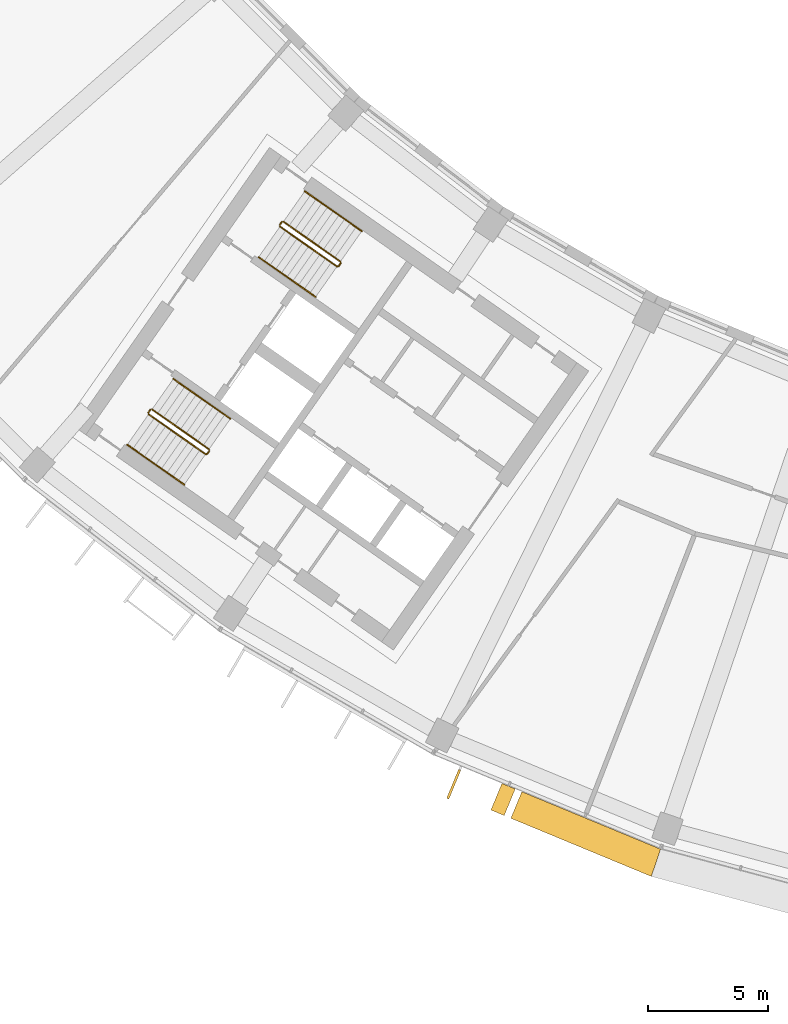
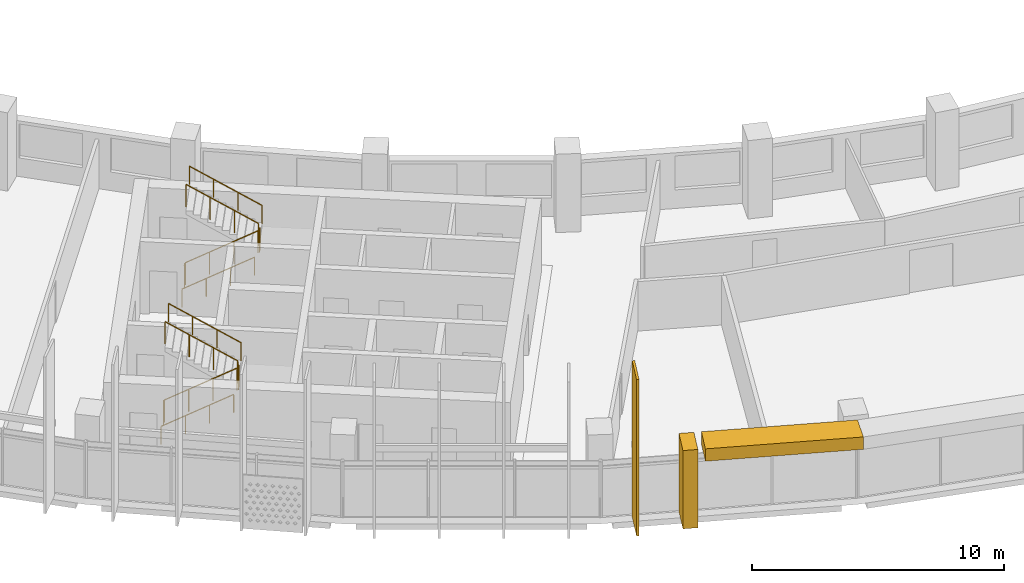
# One storey, part 24 of 28: 10 railings, 3 shading devices.
"""IFC4 building model written with IfcOpenShell, lengths in metres."""

from ifc_helpers import new_model, si_unit, direction, frame, origin, origin_2d, place, context, subcontext, project, spatial, polyline, rectangle, circle, outline, extrude, material, material_profile, profile_set, type_object, element, save


model = new_model("IFC4")

# Units and contexts
model_context = context("Model", 3, precision=1e-05, world=origin(), true_north=direction((0.0, 1.0)))
body_context = subcontext(model_context, "Body", "Model", "MODEL_VIEW")
ifc_project = project(units=[si_unit("LENGTHUNIT", "METRE"), si_unit("AREAUNIT", "SQUARE_METRE"), si_unit("VOLUMEUNIT", "CUBIC_METRE"), si_unit("PLANEANGLEUNIT", "RADIAN"), si_unit("MASSUNIT", "GRAM", prefix="KILO")], contexts=[model_context])

# Site, building, storey
site_placement = place(None, origin())
site = spatial("IfcSite", under=ifc_project, at=site_placement, CompositionType="ELEMENT")
building_placement = place(site_placement, origin())
building = spatial("IfcBuilding", under=site, at=building_placement, Name="Qamariyya Broadcast Tower", CompositionType="ELEMENT")
storey_placement = place(building_placement, frame((0.0, 0.0, 234.10009765625)))
storey = spatial("IfcBuildingStorey", under=building, at=storey_placement, Name="L56", CompositionType="ELEMENT", Elevation=234.10009765625)

# Shading devices
ifc_material_1 = material(Name="Steel S355 powder coated deep red", Category="steel")
shading_device_type_1 = type_object("IfcShadingDeviceType", Name="Deep red frame, powder coated steel box section", PredefinedType="USERDEFINED", material=ifc_material_1)
shading_device_1_placement = place(storey_placement, origin())
element("IfcShadingDevice", 1, at=shading_device_1_placement, inside=storey, type_object=shading_device_type_1, Name="e-frm-B4-F1-posta-L56", ObjectType="FRAME", PredefinedType="USERDEFINED", context=body_context, shape_type="SweptSolid", body=[
    extrude(outline(polyline([(-31.89501953125, -71.736572265625), (-32.35400390625, -72.84521484375), (-31.7998046875, -73.074951171875), (-31.340576171875, -71.966064453125), (-31.89501953125, -71.736572265625)])), origin(), (0.0, 0.0, 1.0), 3.7998046875),
])
shading_device_2_placement = place(storey_placement, frame((0.0, 0.0, 3.199951171875)))
element("IfcShadingDevice", 2, at=shading_device_2_placement, inside=storey, type_object=shading_device_type_1, Name="e-frm-B4-F1-top0", ObjectType="FRAME", PredefinedType="USERDEFINED", context=body_context, shape_type="SweptSolid", body=[
    extrude(outline(polyline([(-31.0634765625, -72.0810546875), (-31.522705078125, -73.189697265625), (-25.667724609375, -75.61474609375), (-25.28125, -74.47607421875), (-31.0634765625, -72.0810546875)])), origin(), (0.0, 0.0, 1.0), 0.599853515625),
])

# Railings
ifc_material_2 = material(Name="Painted steel", Category="steel")
railing_type_1 = type_object("IfcRailingType", Name="Stair guard", PredefinedType="GUARDRAIL", material=ifc_material_2)
railing_1_placement = place(storey_placement, frame((-41.146728515625, -48.52490234375, 0.172607421875)))
element("IfcRailing", 3, at=railing_1_placement, inside=storey, type_object=railing_type_1, Name="L56 ST-W2 stair guard 1", PredefinedType="GUARDRAIL", context=body_context, shape_type="SweptSolid", body=[
    extrude(circle(Radius=0.02392578125, at=origin_2d()), frame((0.0, 0.0, 1.076171875), z_axis=(0.703770094002, -0.492783725636, 0.511734163933), x_axis=(0.573575343427, 0.819152809562, 0.0)), (0.0, 0.0, 1.0), 3.37548828125),
    extrude(circle(Radius=0.02392578125, at=origin_2d()), frame((2.37548828125, -1.663330078125, 2.80322265625), z_axis=(0.985059694769, 0.172213233351, 0.0), x_axis=(-0.172213233351, 0.985059694769, 0.0)), (0.0, 0.0, 1.0), 0.07080078125),
    extrude(circle(Radius=0.02392578125, at=origin_2d()), frame((2.4453125, -1.651123046875, 2.80322265625), z_axis=(0.572588637393, 0.819842821722, 0.0), x_axis=(-0.819842821722, 0.572588637393, 0.0)), (0.0, 0.0, 1.0), 0.150146484375),
    extrude(circle(Radius=0.02099609375, at=origin_2d()), origin(), (0.0, 0.0, 1.0), 1.052001953125),
    extrude(circle(Radius=0.02099609375, at=origin_2d()), frame((0.791748046875, -0.554443359375, 0.57568359375)), (0.0, 0.0, 1.0), 1.052001953125),
    extrude(circle(Radius=0.02099609375, at=origin_2d()), frame((1.583740234375, -1.10888671875, 1.151611328125)), (0.0, 0.0, 1.0), 1.052001953125),
    extrude(circle(Radius=0.02099609375, at=origin_2d()), frame((2.37548828125, -1.663330078125, 1.727294921875)), (0.0, 0.0, 1.0), 1.052001953125),
    extrude(circle(Radius=0.02099609375, at=origin_2d()), frame((2.4453125, -1.651123046875, 1.727294921875)), (0.0, 0.0, 1.0), 1.052001953125),
    extrude(circle(Radius=0.02099609375, at=origin_2d()), frame((2.53125, -1.528076171875, 1.727294921875)), (0.0, 0.0, 1.0), 1.052001953125),
])
railing_2_placement = place(storey_placement, frame((-38.627685546875, -49.9833984375, 2.072509765625)))
element("IfcRailing", 4, at=railing_2_placement, inside=storey, type_object=railing_type_1, Name="L56 ST-W2 stair guard 2", PredefinedType="GUARDRAIL", context=body_context, shape_type="SweptSolid", body=[
    extrude(circle(Radius=0.02392578125, at=origin_2d()), frame((0.0, 0.0, 1.076171875), z_axis=(-0.703770094002, 0.492783725636, 0.511734163933), x_axis=(-0.573575343427, -0.819152809562, 0.0)), (0.0, 0.0, 1.0), 3.37548828125),
    extrude(circle(Radius=0.02099609375, at=origin_2d()), origin(), (0.0, 0.0, 1.0), 1.052001953125),
    extrude(circle(Radius=0.02099609375, at=origin_2d()), frame((-0.791748046875, 0.554443359375, 0.57568359375)), (0.0, 0.0, 1.0), 1.052001953125),
    extrude(circle(Radius=0.02099609375, at=origin_2d()), frame((-1.583740234375, 1.10888671875, 1.151611328125)), (0.0, 0.0, 1.0), 1.052001953125),
    extrude(circle(Radius=0.02099609375, at=origin_2d()), frame((-2.37548828125, 1.663330078125, 1.727294921875)), (0.0, 0.0, 1.0), 1.052001953125),
])
railing_3_placement = place(storey_placement, frame((-41.158935546875, -48.455322265625, 0.0)))
element("IfcRailing", 5, at=railing_3_placement, inside=storey, type_object=railing_type_1, Name="L56 ST-W2 stair guard 3", PredefinedType="GUARDRAIL", context=body_context, shape_type="SweptSolid", body=[
    extrude(circle(Radius=0.02392578125, at=origin_2d()), frame((0.0, 0.0, 1.076171875), z_axis=(0.572588637393, 0.819842821722, 0.0), x_axis=(-0.819842821722, 0.572588637393, 0.0)), (0.0, 0.0, 1.0), 0.150146484375),
    extrude(circle(Radius=0.02099609375, at=origin_2d()), origin(), (0.0, 0.0, 1.0), 1.052001953125),
    extrude(circle(Radius=0.02099609375, at=origin_2d()), frame((0.0859375, 0.123046875, 0.0)), (0.0, 0.0, 1.0), 1.052001953125),
])
railing_4_placement = place(storey_placement, frame((-46.624267578125, -56.34765625, 0.172607421875)))
element("IfcRailing", 6, at=railing_4_placement, inside=storey, type_object=railing_type_1, Name="L56 ST-W1 stair guard 1", PredefinedType="GUARDRAIL", context=body_context, shape_type="SweptSolid", body=[
    extrude(circle(Radius=0.02392578125, at=origin_2d()), frame((0.0, 0.0, 1.076171875), z_axis=(0.703745009021, -0.492838488332, 0.511715923826), x_axis=(0.573631830683, 0.819113253969, 0.0)), (0.0, 0.0, 1.0), 3.37548828125),
    extrude(circle(Radius=0.02392578125, at=origin_2d()), frame((2.37548828125, -1.66357421875, 2.80322265625), z_axis=(0.984363469884, 0.176149252506, 0.0), x_axis=(-0.176149252506, 0.984363469884, 0.0)), (0.0, 0.0, 1.0), 0.07080078125),
    extrude(circle(Radius=0.02392578125, at=origin_2d()), frame((2.445068359375, -1.651123046875, 2.80322265625), z_axis=(0.574444878118, 0.818543268254, 0.0), x_axis=(-0.818543268254, 0.574444878118, 0.0)), (0.0, 0.0, 1.0), 0.150146484375),
    extrude(circle(Radius=0.02099609375, at=origin_2d()), origin(), (0.0, 0.0, 1.0), 1.052001953125),
    extrude(circle(Radius=0.02099609375, at=origin_2d()), frame((0.791748046875, -0.554443359375, 0.57568359375)), (0.0, 0.0, 1.0), 1.052001953125),
    extrude(circle(Radius=0.02099609375, at=origin_2d()), frame((1.583740234375, -1.109130859375, 1.151611328125)), (0.0, 0.0, 1.0), 1.052001953125),
    extrude(circle(Radius=0.02099609375, at=origin_2d()), frame((2.37548828125, -1.66357421875, 1.727294921875)), (0.0, 0.0, 1.0), 1.052001953125),
    extrude(circle(Radius=0.02099609375, at=origin_2d()), frame((2.445068359375, -1.651123046875, 1.727294921875)), (0.0, 0.0, 1.0), 1.052001953125),
    extrude(circle(Radius=0.02099609375, at=origin_2d()), frame((2.53125, -1.5283203125, 1.727294921875)), (0.0, 0.0, 1.0), 1.052001953125),
])
railing_5_placement = place(storey_placement, frame((-44.10546875, -57.806396484375, 2.072509765625)))
element("IfcRailing", 7, at=railing_5_placement, inside=storey, type_object=railing_type_1, Name="L56 ST-W1 stair guard 2", PredefinedType="GUARDRAIL", context=body_context, shape_type="SweptSolid", body=[
    extrude(circle(Radius=0.02392578125, at=origin_2d()), frame((0.0, 0.0, 1.076171875), z_axis=(-0.703770094002, 0.492783725636, 0.511734163933), x_axis=(-0.573575343427, -0.819152809562, 0.0)), (0.0, 0.0, 1.0), 3.37548828125),
    extrude(circle(Radius=0.02099609375, at=origin_2d()), origin(), (0.0, 0.0, 1.0), 1.052001953125),
    extrude(circle(Radius=0.02099609375, at=origin_2d()), frame((-0.791748046875, 0.554443359375, 0.57568359375)), (0.0, 0.0, 1.0), 1.052001953125),
    extrude(circle(Radius=0.02099609375, at=origin_2d()), frame((-1.583740234375, 1.10888671875, 1.151611328125)), (0.0, 0.0, 1.0), 1.052001953125),
    extrude(circle(Radius=0.02099609375, at=origin_2d()), frame((-2.37548828125, 1.663330078125, 1.727294921875)), (0.0, 0.0, 1.0), 1.052001953125),
])
railing_6_placement = place(storey_placement, frame((-46.63671875, -56.278076171875, 0.0)))
element("IfcRailing", 8, at=railing_6_placement, inside=storey, type_object=railing_type_1, Name="L56 ST-W1 stair guard 3", PredefinedType="GUARDRAIL", context=body_context, shape_type="SweptSolid", body=[
    extrude(circle(Radius=0.02392578125, at=origin_2d()), frame((0.0, 0.0, 1.076171875), z_axis=(0.574444878118, 0.818543268254, 0.0), x_axis=(-0.818543268254, 0.574444878118, 0.0)), (0.0, 0.0, 1.0), 0.150146484375),
    extrude(circle(Radius=0.02099609375, at=origin_2d()), origin(), (0.0, 0.0, 1.0), 1.052001953125),
    extrude(circle(Radius=0.02099609375, at=origin_2d()), frame((0.086181640625, 0.122802734375, 0.0)), (0.0, 0.0, 1.0), 1.052001953125),
])
ifc_material_3 = material(Name="Stainless steel", Category="steel")
railing_type_2 = type_object("IfcRailingType", Name="Stair handrail", PredefinedType="HANDRAIL", material=ifc_material_3)
railing_7_placement = place(storey_placement, frame((-42.03564453125, -49.79443359375, 0.172607421875)))
element("IfcRailing", 9, at=railing_7_placement, inside=storey, type_object=railing_type_2, Name="L56 ST-W2 stair handrail 1", PredefinedType="HANDRAIL", context=body_context, shape_type="SweptSolid", body=[
    extrude(circle(Radius=0.02392578125, at=origin_2d()), frame((0.0, 0.0, 0.8759765625), z_axis=(0.703745009021, -0.492838488332, 0.511715923826), x_axis=(0.573631830683, 0.819113253969, 0.0)), (0.0, 0.0, 1.0), 3.37548828125),
    extrude(circle(Radius=0.02099609375, at=origin_2d()), origin(), (0.0, 0.0, 1.0), 0.851806640625),
    extrude(circle(Radius=0.02099609375, at=origin_2d()), frame((0.791748046875, -0.554443359375, 0.57568359375)), (0.0, 0.0, 1.0), 0.851806640625),
    extrude(circle(Radius=0.02099609375, at=origin_2d()), frame((1.583740234375, -1.109130859375, 1.151611328125)), (0.0, 0.0, 1.0), 0.851806640625),
    extrude(circle(Radius=0.02099609375, at=origin_2d()), frame((2.37548828125, -1.66357421875, 1.727294921875)), (0.0, 0.0, 1.0), 0.851806640625),
])
railing_8_placement = place(storey_placement, frame((-37.73876953125, -48.7138671875, 2.072509765625)))
element("IfcRailing", 10, at=railing_8_placement, inside=storey, type_object=railing_type_2, Name="L56 ST-W2 stair handrail 2", PredefinedType="HANDRAIL", context=body_context, shape_type="SweptSolid", body=[
    extrude(circle(Radius=0.02392578125, at=origin_2d()), frame((0.0, 0.0, 0.8759765625), z_axis=(-0.703745009021, 0.492838488332, 0.511715923826), x_axis=(-0.573631830683, -0.819113253969, 0.0)), (0.0, 0.0, 1.0), 3.37548828125),
    extrude(circle(Radius=0.02099609375, at=origin_2d()), origin(), (0.0, 0.0, 1.0), 0.851806640625),
    extrude(circle(Radius=0.02099609375, at=origin_2d()), frame((-0.791748046875, 0.554443359375, 0.57568359375)), (0.0, 0.0, 1.0), 0.851806640625),
    extrude(circle(Radius=0.02099609375, at=origin_2d()), frame((-1.583740234375, 1.109130859375, 1.151611328125)), (0.0, 0.0, 1.0), 0.851806640625),
    extrude(circle(Radius=0.02099609375, at=origin_2d()), frame((-2.37548828125, 1.66357421875, 1.727294921875)), (0.0, 0.0, 1.0), 0.851806640625),
])
railing_9_placement = place(storey_placement, frame((-47.513427734375, -57.617431640625, 0.172607421875)))
element("IfcRailing", 11, at=railing_9_placement, inside=storey, type_object=railing_type_2, Name="L56 ST-W1 stair handrail 1", PredefinedType="HANDRAIL", context=body_context, shape_type="SweptSolid", body=[
    extrude(circle(Radius=0.02392578125, at=origin_2d()), frame((0.0, 0.0, 0.8759765625), z_axis=(0.703770094002, -0.492783725636, 0.511734163933), x_axis=(0.573575343427, 0.819152809562, 0.0)), (0.0, 0.0, 1.0), 3.37548828125),
    extrude(circle(Radius=0.02099609375, at=origin_2d()), origin(), (0.0, 0.0, 1.0), 0.851806640625),
    extrude(circle(Radius=0.02099609375, at=origin_2d()), frame((0.791748046875, -0.554443359375, 0.57568359375)), (0.0, 0.0, 1.0), 0.851806640625),
    extrude(circle(Radius=0.02099609375, at=origin_2d()), frame((1.583740234375, -1.10888671875, 1.151611328125)), (0.0, 0.0, 1.0), 0.851806640625),
    extrude(circle(Radius=0.02099609375, at=origin_2d()), frame((2.37548828125, -1.663330078125, 1.727294921875)), (0.0, 0.0, 1.0), 0.851806640625),
])
railing_10_placement = place(storey_placement, frame((-43.21630859375, -56.53662109375, 2.072509765625)))
element("IfcRailing", 12, at=railing_10_placement, inside=storey, type_object=railing_type_2, Name="L56 ST-W1 stair handrail 2", PredefinedType="HANDRAIL", context=body_context, shape_type="SweptSolid", body=[
    extrude(circle(Radius=0.02392578125, at=origin_2d()), frame((0.0, 0.0, 0.8759765625), z_axis=(-0.703770094002, 0.492783725636, 0.511734163933), x_axis=(-0.573575343427, -0.819152809562, 0.0)), (0.0, 0.0, 1.0), 3.37548828125),
    extrude(circle(Radius=0.02099609375, at=origin_2d()), origin(), (0.0, 0.0, 1.0), 0.851806640625),
    extrude(circle(Radius=0.02099609375, at=origin_2d()), frame((-0.791748046875, 0.554443359375, 0.57568359375)), (0.0, 0.0, 1.0), 0.851806640625),
    extrude(circle(Radius=0.02099609375, at=origin_2d()), frame((-1.583740234375, 1.10888671875, 1.151611328125)), (0.0, 0.0, 1.0), 0.851806640625),
    extrude(circle(Radius=0.02099609375, at=origin_2d()), frame((-2.37548828125, 1.663330078125, 1.727294921875)), (0.0, 0.0, 1.0), 0.851806640625),
])

# Shading device
ifc_material_4 = material(Name="Glazed terracotta", Category="masonry")
ifc_material_profile = material_profile(ifc_material_4, rectangle(XDim=1.300048828125, YDim=0.10009765625, at=origin_2d()))
ifc_profile_set = profile_set([ifc_material_profile], Name="Glazed terracotta")
shading_device_type_2 = type_object("IfcShadingDeviceType", Name="Terracotta fin 100 x 1300", PredefinedType="USERDEFINED", material=ifc_profile_set)
shading_device_3_placement = place(storey_placement, frame((-33.904052734375, -71.770263671875, 0.0), z_axis=(0.0, 0.0, 1.0), x_axis=(-0.382683432365, -0.923879532511, 0.0)))
element("IfcShadingDevice", 13, at=shading_device_3_placement, inside=storey, type_object=shading_device_type_2, Name="e-fin-L56-05-0", ObjectType="FIN", PredefinedType="USERDEFINED", context=body_context, shape_type="SweptSolid", body=[
    extrude(rectangle(XDim=1.300048828125, YDim=0.10009765625, at=origin_2d()), origin(), (0.0, 0.0, 1.0), 7.599853515625),
])

save(model, "model.ifc")
